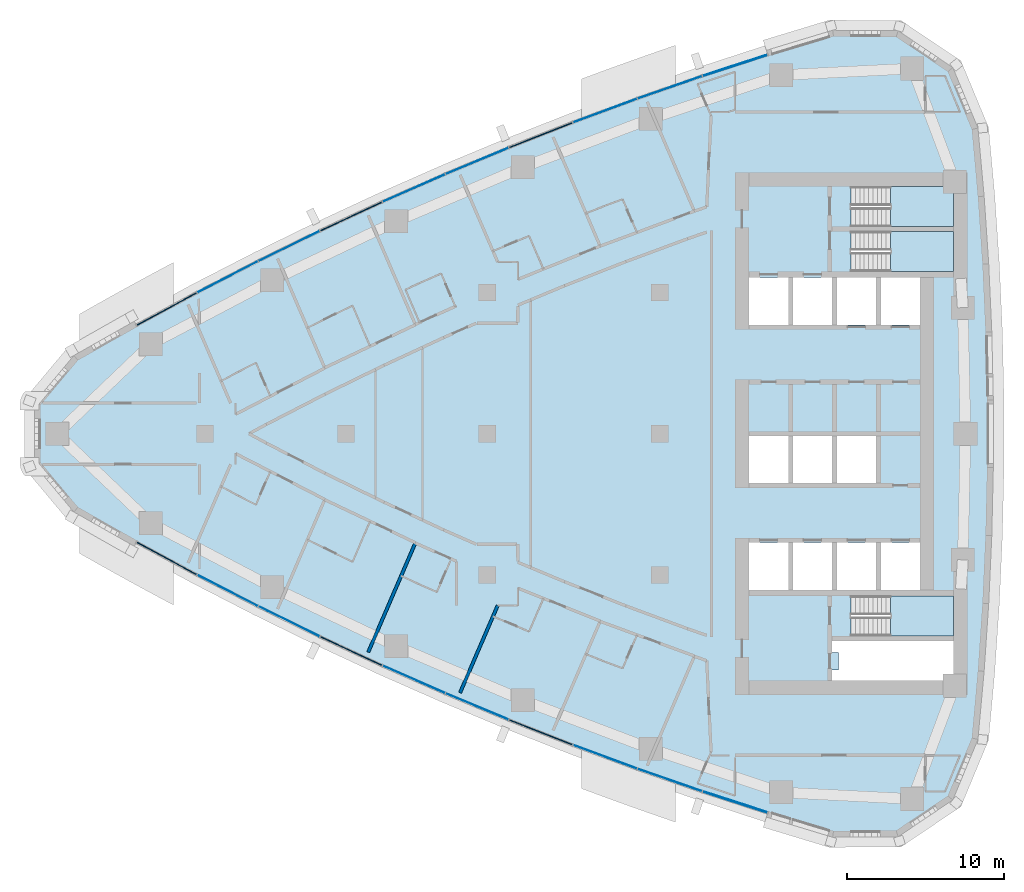
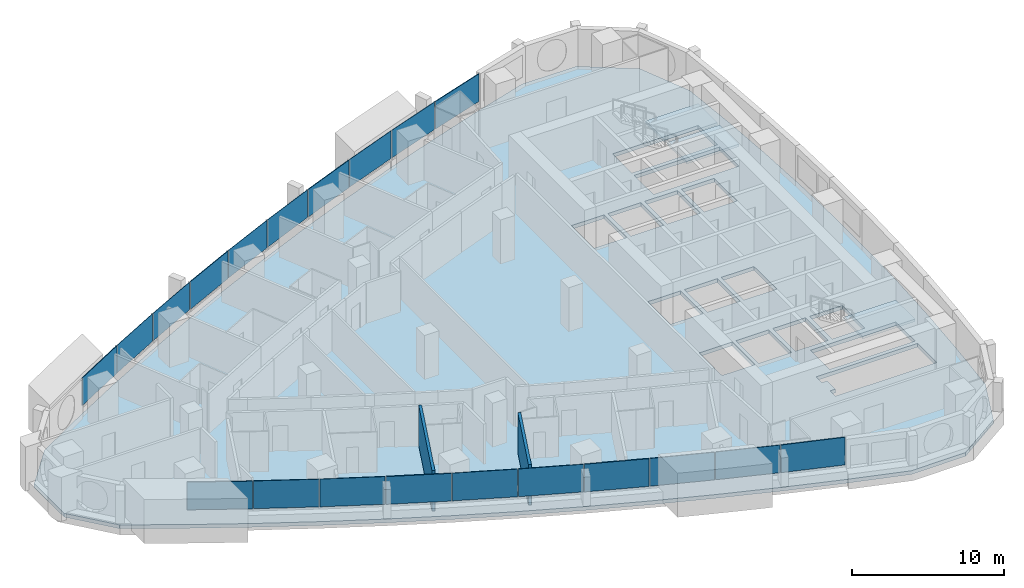
# One storey, part 7 of 17: 20 plates, 4 slabs, 2 walls, 1 opening, 13 elements without a shape of their own.
"""IFC4 building model written with IfcOpenShell, lengths in metres."""

from ifc_helpers import new_model, si_unit, direction, frame, frame_2d, origin, origin_2d, place, context, subcontext, project, spatial, polyline, rectangle, outline, extrude, material, layer, layer_set, type_object, element, aggregate, save


model = new_model("IFC4")

# Units and contexts
model_context = context("Model", 3, precision=1e-05, world=origin(), true_north=direction((0.0, 1.0)))
body_context = subcontext(model_context, "Body", "Model", "MODEL_VIEW")
ifc_project = project(units=[si_unit("LENGTHUNIT", "METRE"), si_unit("AREAUNIT", "SQUARE_METRE"), si_unit("VOLUMEUNIT", "CUBIC_METRE"), si_unit("PLANEANGLEUNIT", "RADIAN"), si_unit("MASSUNIT", "GRAM", prefix="KILO")], contexts=[model_context])

# Site, building, storey
site_placement = place(None, origin())
site = spatial("IfcSite", under=ifc_project, at=site_placement, CompositionType="ELEMENT")
building_placement = place(site_placement, origin())
building = spatial("IfcBuilding", under=site, at=building_placement, Name="Ostrand Prow Hotel Tower", CompositionType="ELEMENT")
storey_placement = place(building_placement, frame((0.0, 0.0, 151.5)))
storey = spatial("IfcBuildingStorey", under=building, at=storey_placement, Name="L37", CompositionType="ELEMENT", Elevation=151.5)

# Curtain wall, plate
ifc_material_1 = material(Name="Insulated glass in bronze anodised frame", Category="glass")
ifc_layer_1 = layer(ifc_material_1, 0.199951171875)
ifc_layer_set_1 = layer_set([ifc_layer_1], Name="Insulated glass in bronze anodised frame")
curtain_wall_type = type_object("IfcCurtainWallType", Name="Strip curtain wall, fritted glass over bronze spandrel", PredefinedType="NOTDEFINED", material=ifc_layer_set_1)
curtain_wall_1_placement = place(storey_placement, origin())
curtain_wall_1 = element("IfcCurtainWall", 1, at=curtain_wall_1_placement, inside=storey, type_object=curtain_wall_type, Name="CW1 run CWS1", PredefinedType="NOTDEFINED")
ifc_material_2 = material(Name="Ceramic-fritted glass", Category="glass")
ifc_layer_2 = layer(ifc_material_2, 0.031982421875)
ifc_layer_set_2 = layer_set([ifc_layer_2], Name="Ceramic-fritted glass")
plate_type_1 = type_object("IfcPlateType", Name="Dot-fritted ceramic glass unit 32 mm", PredefinedType="CURTAIN_PANEL", material=ifc_layer_set_2)
plate_1_placement = place(storey_placement, frame((17.45166015625, -9.998046875, 1.02001953125), z_axis=(0.0, 0.0, 1.0), x_axis=(0.889148164146, -0.457619429434, 0.0)))
plate_1 = element("IfcPlate", 2, at=plate_1_placement, type_object=plate_type_1, Name="CW1 PN-D panel 2.2", PredefinedType="CURTAIN_PANEL", context=body_context, shape_type="SweptSolid", body=[
    extrude(rectangle(XDim=4.326171875, YDim=0.031982421875, at=origin_2d()), origin(), (0.0, 0.0, 1.0), 2.22998046875),
])

curtain_wall_2_placement = place(storey_placement, origin())
curtain_wall_2 = element("IfcCurtainWall", 3, at=curtain_wall_2_placement, inside=storey, type_object=curtain_wall_type, Name="CW1 run CWS2", PredefinedType="NOTDEFINED")
plate_2_placement = place(storey_placement, frame((21.371337890625, -11.9658203125, 1.02001953125), z_axis=(0.0, 0.0, 1.0), x_axis=(0.898164975061, -0.439658592061, 0.0)))
plate_2 = element("IfcPlate", 4, at=plate_2_placement, type_object=plate_type_1, Name="CW1 PN-D panel 1.2", PredefinedType="CURTAIN_PANEL", context=body_context, shape_type="SweptSolid", body=[
    extrude(rectangle(XDim=4.326171875, YDim=0.031982421875, at=origin_2d()), origin(), (0.0, 0.0, 1.0), 2.22998046875),
])

# Curtain wall, plates
curtain_wall_3_placement = place(storey_placement, origin())
curtain_wall_3 = element("IfcCurtainWall", 5, at=curtain_wall_3_placement, inside=storey, type_object=curtain_wall_type, Name="CW1 run CWS3", PredefinedType="NOTDEFINED")
plate_3_placement = place(storey_placement, frame((29.3251953125, -15.6630859375, 1.02001953125), z_axis=(0.0, 0.0, 1.0), x_axis=(0.915106105993, -0.403213113347, 0.0)))
plate_3 = element("IfcPlate", 6, at=plate_3_placement, type_object=plate_type_1, Name="CW1 PN-D panel 1.2", PredefinedType="CURTAIN_PANEL", context=body_context, shape_type="SweptSolid", body=[
    extrude(rectangle(XDim=4.326171875, YDim=0.031982421875, at=origin_2d()), origin(), (0.0, 0.0, 1.0), 2.22998046875),
])
plate_4_placement = place(storey_placement, frame((33.3564453125, -17.39111328125, 1.02001953125), z_axis=(0.0, 0.0, 1.0), x_axis=(0.92302364777, -0.384743220418, 0.0)))
plate_4 = element("IfcPlate", 7, at=plate_4_placement, type_object=plate_type_1, Name="CW1 PN-D panel 2.2", PredefinedType="CURTAIN_PANEL", context=body_context, shape_type="SweptSolid", body=[
    extrude(rectangle(XDim=4.326171875, YDim=0.031982421875, at=origin_2d()), origin(), (0.0, 0.0, 1.0), 2.22998046875),
])
aggregate(curtain_wall_3, [plate_3, plate_4])

# Curtain wall, plate
curtain_wall_4_placement = place(storey_placement, origin())
curtain_wall_4 = element("IfcCurtainWall", 8, at=curtain_wall_4_placement, inside=storey, type_object=curtain_wall_type, Name="CW1 run CWS4", PredefinedType="NOTDEFINED")
plate_5_placement = place(storey_placement, frame((41.518798828125, -20.6025390625, 1.02001953125), z_axis=(0.0, 0.0, 1.0), x_axis=(0.937738678558, -0.347341576459, 0.0)))
plate_5 = element("IfcPlate", 9, at=plate_5_placement, type_object=plate_type_1, Name="CW1 PN-D panel 2.2", PredefinedType="CURTAIN_PANEL", context=body_context, shape_type="SweptSolid", body=[
    extrude(rectangle(XDim=4.326171875, YDim=0.031982421875, at=origin_2d()), origin(), (0.0, 0.0, 1.0), 2.22998046875),
])

curtain_wall_5_placement = place(storey_placement, origin())
curtain_wall_5 = element("IfcCurtainWall", 10, at=curtain_wall_5_placement, inside=storey, type_object=curtain_wall_type, Name="CW1 run CWS5", PredefinedType="NOTDEFINED")
plate_6_placement = place(storey_placement, frame((45.646484375, -22.08447265625, 1.02001953125), z_axis=(0.0, 0.0, 1.0), x_axis=(0.944528947293, -0.328428177424, 0.0)))
plate_6 = element("IfcPlate", 11, at=plate_6_placement, type_object=plate_type_1, Name="CW1 PN-D panel 1.2", PredefinedType="CURTAIN_PANEL", context=body_context, shape_type="SweptSolid", body=[
    extrude(rectangle(XDim=4.326171875, YDim=0.031982421875, at=origin_2d()), origin(), (0.0, 0.0, 1.0), 2.22998046875),
])

curtain_wall_6_placement = place(storey_placement, origin())
curtain_wall_6 = element("IfcCurtainWall", 12, at=curtain_wall_6_placement, inside=storey, type_object=curtain_wall_type, Name="CW1 run CWN1", PredefinedType="NOTDEFINED")
plate_7_placement = place(storey_placement, frame((45.646484375, 22.08447265625, 1.02001953125), z_axis=(0.0, 0.0, 1.0), x_axis=(-0.944528947293, -0.328428177424, 0.0)))
plate_7 = element("IfcPlate", 13, at=plate_7_placement, type_object=plate_type_1, Name="CW1 PN-D panel 2.2", PredefinedType="CURTAIN_PANEL", context=body_context, shape_type="SweptSolid", body=[
    extrude(rectangle(XDim=4.326171875, YDim=0.031982421875, at=origin_2d()), origin(), (0.0, 0.0, 1.0), 2.22998046875),
])

curtain_wall_7_placement = place(storey_placement, origin())
curtain_wall_7 = element("IfcCurtainWall", 14, at=curtain_wall_7_placement, inside=storey, type_object=curtain_wall_type, Name="CW1 run CWN2", PredefinedType="NOTDEFINED")
plate_8_placement = place(storey_placement, frame((41.518798828125, 20.6025390625, 1.02001953125), z_axis=(0.0, 0.0, 1.0), x_axis=(-0.937738678558, -0.347341576459, 0.0)))
plate_8 = element("IfcPlate", 15, at=plate_8_placement, type_object=plate_type_1, Name="CW1 PN-D panel 1.2", PredefinedType="CURTAIN_PANEL", context=body_context, shape_type="SweptSolid", body=[
    extrude(rectangle(XDim=4.326171875, YDim=0.031982421875, at=origin_2d()), origin(), (0.0, 0.0, 1.0), 2.22998046875),
])

# Curtain wall, plates
curtain_wall_8_placement = place(storey_placement, origin())
curtain_wall_8 = element("IfcCurtainWall", 16, at=curtain_wall_8_placement, inside=storey, type_object=curtain_wall_type, Name="CW1 run CWN3", PredefinedType="NOTDEFINED")
plate_9_placement = place(storey_placement, frame((33.3564453125, 17.39111328125, 1.02001953125), z_axis=(0.0, 0.0, 1.0), x_axis=(-0.92302364777, -0.384743220418, 0.0)))
plate_9 = element("IfcPlate", 17, at=plate_9_placement, type_object=plate_type_1, Name="CW1 PN-D panel 1.2", PredefinedType="CURTAIN_PANEL", context=body_context, shape_type="SweptSolid", body=[
    extrude(rectangle(XDim=4.326171875, YDim=0.031982421875, at=origin_2d()), origin(), (0.0, 0.0, 1.0), 2.22998046875),
])
plate_10_placement = place(storey_placement, frame((29.3251953125, 15.6630859375, 1.02001953125), z_axis=(0.0, 0.0, 1.0), x_axis=(-0.915106105993, -0.403213113347, 0.0)))
plate_10 = element("IfcPlate", 18, at=plate_10_placement, type_object=plate_type_1, Name="CW1 PN-D panel 2.2", PredefinedType="CURTAIN_PANEL", context=body_context, shape_type="SweptSolid", body=[
    extrude(rectangle(XDim=4.326171875, YDim=0.031982421875, at=origin_2d()), origin(), (0.0, 0.0, 1.0), 2.22998046875),
])
aggregate(curtain_wall_8, [plate_9, plate_10])

# Curtain wall, plate
curtain_wall_9_placement = place(storey_placement, origin())
curtain_wall_9 = element("IfcCurtainWall", 19, at=curtain_wall_9_placement, inside=storey, type_object=curtain_wall_type, Name="CW1 run CWN4", PredefinedType="NOTDEFINED")
plate_11_placement = place(storey_placement, frame((21.371337890625, 11.9658203125, 1.02001953125), z_axis=(0.0, 0.0, 1.0), x_axis=(-0.898164975061, -0.439658592061, 0.0)))
plate_11 = element("IfcPlate", 20, at=plate_11_placement, type_object=plate_type_1, Name="CW1 PN-D panel 2.2", PredefinedType="CURTAIN_PANEL", context=body_context, shape_type="SweptSolid", body=[
    extrude(rectangle(XDim=4.326171875, YDim=0.031982421875, at=origin_2d()), origin(), (0.0, 0.0, 1.0), 2.22998046875),
])

curtain_wall_10_placement = place(storey_placement, origin())
curtain_wall_10 = element("IfcCurtainWall", 21, at=curtain_wall_10_placement, inside=storey, type_object=curtain_wall_type, Name="CW1 run CWN5", PredefinedType="NOTDEFINED")
plate_12_placement = place(storey_placement, frame((17.45166015625, 9.998046875, 1.02001953125), z_axis=(0.0, 0.0, 1.0), x_axis=(-0.889148164146, -0.457619429434, 0.0)))
plate_12 = element("IfcPlate", 22, at=plate_12_placement, type_object=plate_type_1, Name="CW1 PN-D panel 1.2", PredefinedType="CURTAIN_PANEL", context=body_context, shape_type="SweptSolid", body=[
    extrude(rectangle(XDim=4.326171875, YDim=0.031982421875, at=origin_2d()), origin(), (0.0, 0.0, 1.0), 2.22998046875),
])

# Plate
ifc_material_3 = material(Name="Fritted glass in bronze vent frame", Category="glass")
ifc_layer_3 = layer(ifc_material_3, 0.06005859375)
ifc_layer_set_3 = layer_set([ifc_layer_3], Name="Fritted glass in bronze vent frame")
plate_type_2 = type_object("IfcPlateType", Name="Operable vent panel 60 mm", PredefinedType="CURTAIN_PANEL", material=ifc_layer_set_3)
plate_13_placement = place(storey_placement, frame((13.572509765625, -7.951904296875, 1.02001953125), z_axis=(0.0, 0.0, 1.0), x_axis=(0.879773060847, -0.475393901316, 0.0)))
plate_13 = element("IfcPlate", 23, at=plate_13_placement, type_object=plate_type_2, Name="CW1 PN-O panel 1.2", PredefinedType="CURTAIN_PANEL", context=body_context, shape_type="SweptSolid", body=[
    extrude(rectangle(XDim=4.326171875, YDim=0.06005859375, at=origin_2d()), origin(), (0.0, 0.0, 1.0), 2.22998046875),
])

aggregate(curtain_wall_1, [plate_13, plate_1])

plate_14_placement = place(storey_placement, frame((25.329833984375, -13.8544921875, 1.02001953125), z_axis=(0.0, 0.0, 1.0), x_axis=(0.906818286337, -0.421521761673, 0.0)))
plate_14 = element("IfcPlate", 24, at=plate_14_placement, type_object=plate_type_2, Name="CW1 PN-O panel 2.2", PredefinedType="CURTAIN_PANEL", context=body_context, shape_type="SweptSolid", body=[
    extrude(rectangle(XDim=4.326171875, YDim=0.06005859375, at=origin_2d()), origin(), (0.0, 0.0, 1.0), 2.22998046875),
])

aggregate(curtain_wall_2, [plate_2, plate_14])

plate_15_placement = place(storey_placement, frame((37.42138671875, -19.037841796875, 1.02001953125), z_axis=(0.0, 0.0, 1.0), x_axis=(0.930569089059, -0.366116334636, 0.0)))
plate_15 = element("IfcPlate", 25, at=plate_15_placement, type_object=plate_type_2, Name="CW1 PN-O panel 1.2", PredefinedType="CURTAIN_PANEL", context=body_context, shape_type="SweptSolid", body=[
    extrude(rectangle(XDim=4.326171875, YDim=0.06005859375, at=origin_2d()), origin(), (0.0, 0.0, 1.0), 2.22998046875),
])

aggregate(curtain_wall_4, [plate_15, plate_5])

plate_16_placement = place(storey_placement, frame((49.803466796875, -23.483154296875, 1.02001953125), z_axis=(0.0, 0.0, 1.0), x_axis=(0.950938332153, -0.309380491373, 0.0)))
plate_16 = element("IfcPlate", 26, at=plate_16_placement, type_object=plate_type_2, Name="CW1 PN-O panel 2.2", PredefinedType="CURTAIN_PANEL", context=body_context, shape_type="SweptSolid", body=[
    extrude(rectangle(XDim=4.326171875, YDim=0.06005859375, at=origin_2d()), origin(), (0.0, 0.0, 1.0), 2.22998046875),
])

aggregate(curtain_wall_5, [plate_6, plate_16])

plate_17_placement = place(storey_placement, frame((49.803466796875, 23.483154296875, 1.02001953125), z_axis=(0.0, 0.0, 1.0), x_axis=(-0.950938332153, -0.309380491373, 0.0)))
plate_17 = element("IfcPlate", 27, at=plate_17_placement, type_object=plate_type_2, Name="CW1 PN-O panel 1.2", PredefinedType="CURTAIN_PANEL", context=body_context, shape_type="SweptSolid", body=[
    extrude(rectangle(XDim=4.326171875, YDim=0.06005859375, at=origin_2d()), origin(), (0.0, 0.0, 1.0), 2.22998046875),
])

aggregate(curtain_wall_6, [plate_17, plate_7])

plate_18_placement = place(storey_placement, frame((37.42138671875, 19.037841796875, 1.02001953125), z_axis=(0.0, 0.0, 1.0), x_axis=(-0.930569089059, -0.366116334636, 0.0)))
plate_18 = element("IfcPlate", 28, at=plate_18_placement, type_object=plate_type_2, Name="CW1 PN-O panel 2.2", PredefinedType="CURTAIN_PANEL", context=body_context, shape_type="SweptSolid", body=[
    extrude(rectangle(XDim=4.326171875, YDim=0.06005859375, at=origin_2d()), origin(), (0.0, 0.0, 1.0), 2.22998046875),
])

aggregate(curtain_wall_7, [plate_8, plate_18])

plate_19_placement = place(storey_placement, frame((25.329833984375, 13.8544921875, 1.02001953125), z_axis=(0.0, 0.0, 1.0), x_axis=(-0.906818286337, -0.421521761673, 0.0)))
plate_19 = element("IfcPlate", 29, at=plate_19_placement, type_object=plate_type_2, Name="CW1 PN-O panel 1.2", PredefinedType="CURTAIN_PANEL", context=body_context, shape_type="SweptSolid", body=[
    extrude(rectangle(XDim=4.326171875, YDim=0.06005859375, at=origin_2d()), origin(), (0.0, 0.0, 1.0), 2.22998046875),
])

aggregate(curtain_wall_9, [plate_19, plate_11])

plate_20_placement = place(storey_placement, frame((13.572509765625, 7.951904296875, 1.02001953125), z_axis=(0.0, 0.0, 1.0), x_axis=(-0.879773060847, -0.475393901316, 0.0)))
plate_20 = element("IfcPlate", 30, at=plate_20_placement, type_object=plate_type_2, Name="CW1 PN-O panel 2.2", PredefinedType="CURTAIN_PANEL", context=body_context, shape_type="SweptSolid", body=[
    extrude(rectangle(XDim=4.326171875, YDim=0.06005859375, at=origin_2d()), origin(), (0.0, 0.0, 1.0), 2.22998046875),
])

aggregate(curtain_wall_10, [plate_12, plate_20])

# Slab, opening
ifc_material_4 = material(Name="Concrete C40/50", Category="concrete")
ifc_layer_4 = layer(ifc_material_4, 0.300048828125)
ifc_layer_set_4 = layer_set([ifc_layer_4], Name="Concrete C40/50")
slab_type_1 = type_object("IfcSlabType", Name="PT flat plate 300 C40/50", PredefinedType="FLOOR", material=ifc_layer_set_4)
slab_1_placement = place(storey_placement, frame((0.0, 0.0, -0.300048828125)))
slab_1 = element("IfcSlab", 31, at=slab_1_placement, inside=storey, type_object=slab_type_1, Name="Floor slab L37-1", PredefinedType="FLOOR", context=body_context, shape_type="SweptSolid", body=[
    extrude(outline(polyline([(7.658203125, 4.952880859375), (11.51611328125, 7.138916015625), (15.37939453125, 9.2265625), (19.283935546875, 11.236083984375), (23.228271484375, 13.166748046875), (27.210205078125, 15.017822265625), (31.22900390625, 16.788330078125), (35.2822265625, 18.47802734375), (39.36865234375, 20.085693359375), (43.486572265625, 21.611083984375), (47.63427734375, 23.05322265625), (51.810302734375, 24.411865234375), (56.046630859375, 25.696533203125), (60.193115234375, 25.6640625), (63.664306640625, 23.328125), (65.256103515625, 19.498779296875), (65.650390625, 15.148681640625), (65.944091796875, 10.825927734375), (66.139892578125, 6.497802734375), (66.23779296875, 2.166259765625), (66.23779296875, -2.166259765625), (66.139892578125, -6.497802734375), (65.944091796875, -10.825927734375), (65.650390625, -15.148681640625), (65.256103515625, -19.498779296875), (63.664306640625, -23.328125), (60.193115234375, -25.6640625), (56.046630859375, -25.696533203125), (51.810302734375, -24.411865234375), (47.63427734375, -23.05322265625), (43.486572265625, -21.611083984375), (39.36865234375, -20.085693359375), (35.2822265625, -18.47802734375), (31.22900390625, -16.788330078125), (27.210205078125, -15.017822265625), (23.228271484375, -13.166748046875), (19.283935546875, -11.236083984375), (15.37939453125, -9.2265625), (11.51611328125, -7.138916015625), (7.658203125, -4.952880859375), (5.16064453125, -1.968505859375), (5.16064453125, 1.968505859375), (7.658203125, 4.952880859375)]), holes=[polyline([(50.699951171875, 6.949951171875), (53.199951171875, 6.949951171875), (53.199951171875, 9.949951171875), (50.699951171875, 9.949951171875), (50.699951171875, 6.949951171875)]), polyline([(53.5, 6.949951171875), (56.0, 6.949951171875), (56.0, 9.949951171875), (53.5, 9.949951171875), (53.5, 6.949951171875)]), polyline([(56.300048828125, 6.949951171875), (58.800048828125, 6.949951171875), (58.800048828125, 9.949951171875), (56.300048828125, 9.949951171875), (56.300048828125, 6.949951171875)]), polyline([(59.10009765625, 6.949951171875), (61.60009765625, 6.949951171875), (61.60009765625, 9.949951171875), (59.10009765625, 9.949951171875), (59.10009765625, 6.949951171875)]), polyline([(50.699951171875, -3.14990234375), (53.199951171875, -3.14990234375), (53.199951171875, -0.14990234375), (50.699951171875, -0.14990234375), (50.699951171875, -3.14990234375)]), polyline([(53.5, -3.14990234375), (56.0, -3.14990234375), (56.0, -0.14990234375), (53.5, -0.14990234375), (53.5, -3.14990234375)]), polyline([(56.300048828125, -3.14990234375), (58.800048828125, -3.14990234375), (58.800048828125, -0.14990234375), (56.300048828125, -0.14990234375), (56.300048828125, -3.14990234375)]), polyline([(50.699951171875, -9.949951171875), (53.199951171875, -9.949951171875), (53.199951171875, -6.949951171875), (50.699951171875, -6.949951171875), (50.699951171875, -9.949951171875)]), polyline([(53.5, -9.949951171875), (56.0, -9.949951171875), (56.0, -6.949951171875), (53.5, -6.949951171875), (53.5, -9.949951171875)]), polyline([(56.300048828125, -9.949951171875), (58.800048828125, -9.949951171875), (58.800048828125, -6.949951171875), (56.300048828125, -6.949951171875), (56.300048828125, -9.949951171875)]), polyline([(59.10009765625, -9.949951171875), (61.60009765625, -9.949951171875), (61.60009765625, -6.949951171875), (59.10009765625, -6.949951171875), (59.10009765625, -9.949951171875)]), polyline([(57.200927734375, 10.35107421875), (57.200927734375, 12.89892578125), (63.718994140625, 12.89892578125), (63.718994140625, 10.35107421875), (57.200927734375, 10.35107421875)]), polyline([(57.200927734375, 13.200927734375), (57.200927734375, 15.7490234375), (63.718994140625, 15.7490234375), (63.718994140625, 13.200927734375), (57.200927734375, 13.200927734375)]), polyline([(57.200927734375, -12.89892578125), (57.200927734375, -10.35107421875), (63.718994140625, -10.35107421875), (63.718994140625, -12.89892578125), (57.200927734375, -12.89892578125)]), polyline([(56.0, -13.199951171875), (63.719970703125, -13.199951171875), (63.719970703125, -15.75), (56.0, -15.75), (56.0, -15.050048828125), (56.39990234375, -15.050048828125), (56.39990234375, -13.949951171875), (56.0, -13.949951171875), (56.0, -13.199951171875)])]), origin(), (0.0, 0.0, 1.0), 0.300048828125),
])
opening_placement = place(slab_1_placement, origin())
element("IfcOpeningElement", 32, at=opening_placement, cuts=slab_1, Name="Shaft opening 1", PredefinedType="OPENING", context=body_context, shape_type="SweptSolid", body=[
    extrude(outline(polyline([(56.0, -13.199951171875), (63.719970703125, -13.199951171875), (63.719970703125, -15.75), (56.0, -15.75), (56.0, -15.050048828125), (56.39990234375, -15.050048828125), (56.39990234375, -13.949951171875), (56.0, -13.949951171875), (56.0, -13.199951171875)])), origin(), (0.0, 0.0, 1.0), 0.300048828125),
])

# Stair, slab
ifc_material_5 = material(Name="Concrete C40/50", Category="concrete")
stair_type = type_object("IfcStairType", Name="Exit stair 1200 upper zone", PredefinedType="HALF_TURN_STAIR", material=ifc_material_5)
stair_1_placement = place(storey_placement, origin())
stair_1 = element("IfcStair", 33, at=stair_1_placement, inside=storey, type_object=stair_type, Name="L37 ST1C", PredefinedType="HALF_TURN_STAIR")
ifc_material_6 = material(Name="Concrete C40/50", Category="concrete")
ifc_layer_5 = layer(ifc_material_6, 0.199951171875)
ifc_layer_set_5 = layer_set([ifc_layer_5], Name="Concrete C40/50")
slab_type_2 = type_object("IfcSlabType", Name="Stair landing 200 concrete", PredefinedType="LANDING", material=ifc_layer_set_5)
slab_2_placement = place(storey_placement, frame((0.0, 0.0, 1.574951171875)))
slab_2 = element("IfcSlab", 34, at=slab_2_placement, type_object=slab_type_2, Name="ST1C landing 1", PredefinedType="LANDING", context=body_context, shape_type="SweptSolid", body=[
    extrude(outline(polyline([(59.719970703125, 10.35009765625), (63.719970703125, 10.35009765625), (63.719970703125, 12.89990234375), (59.719970703125, 12.89990234375), (59.719970703125, 10.35009765625)])), origin(), (0.0, 0.0, 1.0), 0.199951171875),
])
aggregate(stair_1, [slab_2])

stair_2_placement = place(storey_placement, origin())
stair_2 = element("IfcStair", 35, at=stair_2_placement, inside=storey, type_object=stair_type, Name="L37 ST3C", PredefinedType="HALF_TURN_STAIR")
slab_3_placement = place(storey_placement, frame((0.0, 0.0, 1.574951171875)))
slab_3 = element("IfcSlab", 36, at=slab_3_placement, type_object=slab_type_2, Name="ST3C landing 1", PredefinedType="LANDING", context=body_context, shape_type="SweptSolid", body=[
    extrude(outline(polyline([(59.719970703125, 13.199951171875), (63.719970703125, 13.199951171875), (63.719970703125, 15.75), (59.719970703125, 15.75), (59.719970703125, 13.199951171875)])), origin(), (0.0, 0.0, 1.0), 0.199951171875),
])
aggregate(stair_2, [slab_3])

stair_3_placement = place(storey_placement, origin())
stair_3 = element("IfcStair", 37, at=stair_3_placement, inside=storey, type_object=stair_type, Name="L37 ST2C", PredefinedType="HALF_TURN_STAIR")
slab_4_placement = place(storey_placement, frame((0.0, 0.0, 1.574951171875)))
slab_4 = element("IfcSlab", 38, at=slab_4_placement, type_object=slab_type_2, Name="ST2C landing 1", PredefinedType="LANDING", context=body_context, shape_type="SweptSolid", body=[
    extrude(outline(polyline([(59.719970703125, -12.89990234375), (63.719970703125, -12.89990234375), (63.719970703125, -10.35009765625), (59.719970703125, -10.35009765625), (59.719970703125, -12.89990234375)])), origin(), (0.0, 0.0, 1.0), 0.199951171875),
])
aggregate(stair_3, [slab_4])

# Walls
ifc_material_7 = material(Name="Plasterboard partition")
ifc_layer_6 = layer(ifc_material_7, 0.199951171875)
ifc_layer_set_6 = layer_set([ifc_layer_6], Name="Plasterboard partition")
wall_type = type_object("IfcWallType", Name="Partition 200 key partition", PredefinedType="PARTITIONING", material=ifc_layer_set_6)
wall_1_placement = place(storey_placement, frame((26.41552734375, -13.931396484375, 0.0), z_axis=(0.0, 0.0, 1.0), x_axis=(0.396007233012, 0.918247391176, 0.0)))
element("IfcWall", 39, at=wall_1_placement, inside=storey, type_object=wall_type, Name="KEY PARTITION", PredefinedType="PARTITIONING", context=body_context, shape_type="SweptSolid", body=[
    extrude(rectangle(XDim=7.602783203125, YDim=0.199951171875, at=frame_2d((3.80126953125, 0.0))), origin(), (0.0, 0.0, 1.0), 3.25),
])
wall_2_placement = place(storey_placement, frame((32.269775390625, -16.51806640625, 0.0), z_axis=(0.0, 0.0, 1.0), x_axis=(0.395978622303, 0.918259729422, 0.0)))
element("IfcWall", 40, at=wall_2_placement, inside=storey, type_object=wall_type, Name="KEY PARTITION", PredefinedType="PARTITIONING", context=body_context, shape_type="SweptSolid", body=[
    extrude(rectangle(XDim=6.063720703125, YDim=0.199951171875, at=frame_2d((3.03173828125, 0.0))), origin(), (0.0, 0.0, 1.0), 3.25),
])

save(model, "model.ifc")
